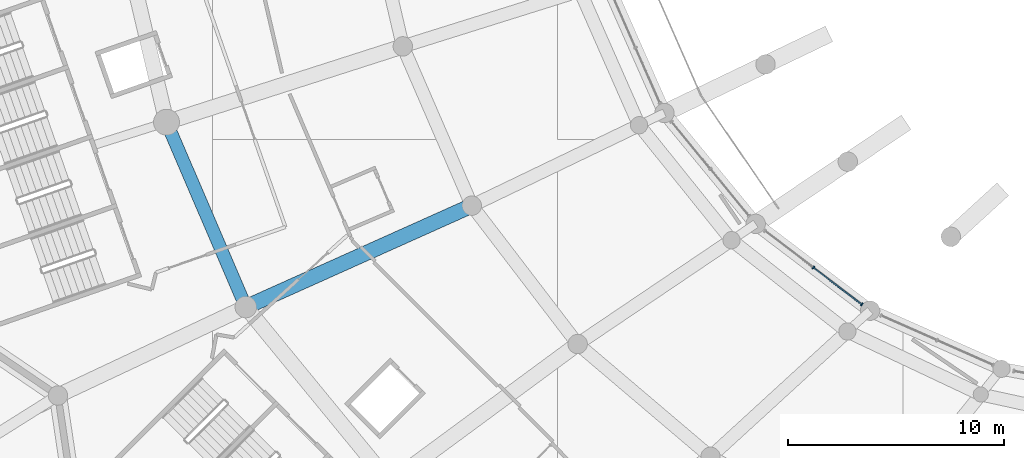
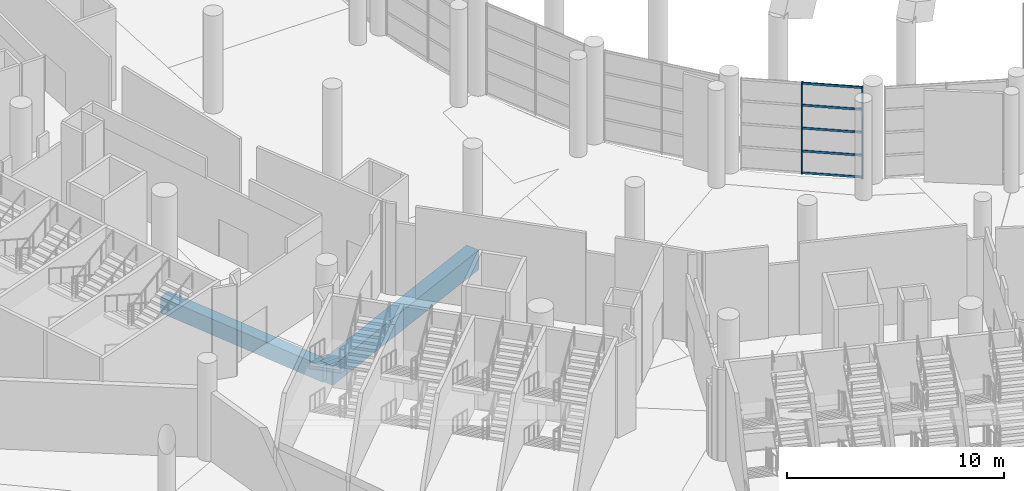
# One storey, part 15 of 271: 7 members, 2 beams, 1 element without a shape of its own.
"""IFC4 building model written with IfcOpenShell, lengths in metres."""

from ifc_helpers import new_model, si_unit, direction, frame, origin, origin_2d, place, context, subcontext, project, spatial, rectangle, extrude, material, layer, layer_set, material_profile, profile_set, type_object, element, aggregate, save


model = new_model("IFC4")

# Units and contexts
model_context = context("Model", 3, precision=1e-05, world=origin(), true_north=direction((0.0, 1.0)))
body_context = subcontext(model_context, "Body", "Model", "MODEL_VIEW")
ifc_project = project(units=[si_unit("LENGTHUNIT", "METRE"), si_unit("AREAUNIT", "SQUARE_METRE"), si_unit("VOLUMEUNIT", "CUBIC_METRE"), si_unit("PLANEANGLEUNIT", "RADIAN"), si_unit("MASSUNIT", "GRAM", prefix="KILO")], contexts=[model_context])

# Site, building, storey
site_placement = place(None, origin())
site = spatial("IfcSite", under=ifc_project, at=site_placement, CompositionType="ELEMENT")
building_placement = place(site_placement, origin())
building = spatial("IfcBuilding", under=site, at=building_placement, Name="Meseta Stadium", CompositionType="ELEMENT")
storey_placement = place(building_placement, frame((0.0, 0.0, 6.5)))
storey = spatial("IfcBuildingStorey", under=building, at=storey_placement, Name="L01", CompositionType="ELEMENT", Elevation=6.5)

# Curtain wall, members
ifc_material_1 = material(Name="Aluminium", Category="aluminium")
ifc_layer = layer(ifc_material_1, 0.199951171875)
ifc_layer_set = layer_set([ifc_layer], Name="Club glazing curtain wall")
curtain_wall_type = type_object("IfcCurtainWallType", Name="Club glazing curtain wall", PredefinedType="NOTDEFINED", material=ifc_layer_set)
curtain_wall_placement = place(storey_placement, origin())
curtain_wall = element("IfcCurtainWall", 1, at=curtain_wall_placement, inside=storey, type_object=curtain_wall_type, Name="Club glazing bay 40", PredefinedType="NOTDEFINED")
ifc_material_2 = material(Name="Aluminium", Category="aluminium")
ifc_material_profile_1 = material_profile(ifc_material_2, rectangle(XDim=0.159912109375, YDim=0.06005859375, at=origin_2d()), Name="CW 160x60")
ifc_profile_set_1 = profile_set([ifc_material_profile_1], Name="Aluminium")
member_type_1 = type_object("IfcMemberType", Name="CW mullion 60x160", PredefinedType="MULLION", material=ifc_profile_set_1)
member_1_placement = place(storey_placement, frame((-52.146484375, -69.93017578125, 0.0), z_axis=(0.0, 0.0, 1.0), x_axis=(0.604519923448, 0.796590021375, 0.0)))
member_1 = element("IfcMember", 2, at=member_1_placement, type_object=member_type_1, Name="CWC mullion 2", PredefinedType="MULLION", context=body_context, shape_type="SweptSolid", body=[
    extrude(rectangle(XDim=0.159912109375, YDim=0.06005859375, at=origin_2d()), origin(), (0.0, 0.0, 1.0), 5.14990234375),
])
member_2_placement = place(storey_placement, frame((-49.900390625, -71.634765625, 0.0), z_axis=(0.0, 0.0, 1.0), x_axis=(0.604519923448, 0.796590021375, 0.0)))
member_2 = element("IfcMember", 3, at=member_2_placement, type_object=member_type_1, Name="CWC mullion 3", PredefinedType="MULLION", context=body_context, shape_type="SweptSolid", body=[
    extrude(rectangle(XDim=0.159912109375, YDim=0.06005859375, at=origin_2d()), origin(), (0.0, 0.0, 1.0), 5.14990234375),
])
ifc_material_3 = material(Name="Aluminium", Category="aluminium")
ifc_material_profile_2 = material_profile(ifc_material_3, rectangle(XDim=0.06005859375, YDim=0.1201171875, at=origin_2d()), Name="CW 60x120")
ifc_profile_set_2 = profile_set([ifc_material_profile_2], Name="Aluminium")
member_type_2 = type_object("IfcMemberType", Name="CW transom 60x120", PredefinedType="USERDEFINED", material=ifc_profile_set_2)
member_3_placement = place(storey_placement, frame((-52.12255859375, -69.9482421875, 0.06005859375), z_axis=(0.796547299203, -0.604576215321, 0.0), x_axis=(0.604576215321, 0.796547299203, 0.0)))
member_3 = element("IfcMember", 4, at=member_3_placement, type_object=member_type_2, Name="CWC transom 2.1", ObjectType="TRANSOM", PredefinedType="USERDEFINED", context=body_context, shape_type="SweptSolid", body=[
    extrude(rectangle(XDim=0.06005859375, YDim=0.1201171875, at=origin_2d()), origin(), (0.0, 0.0, 1.0), 2.759765625),
])
member_4_placement = place(storey_placement, frame((-52.12255859375, -69.9482421875, 1.28759765625), z_axis=(0.796547299203, -0.604576215321, 0.0), x_axis=(0.604576215321, 0.796547299203, 0.0)))
member_4 = element("IfcMember", 5, at=member_4_placement, type_object=member_type_2, Name="CWC transom 2.2", ObjectType="TRANSOM", PredefinedType="USERDEFINED", context=body_context, shape_type="SweptSolid", body=[
    extrude(rectangle(XDim=0.06005859375, YDim=0.1201171875, at=origin_2d()), origin(), (0.0, 0.0, 1.0), 2.759765625),
])
member_5_placement = place(storey_placement, frame((-52.12255859375, -69.9482421875, 2.574951171875), z_axis=(0.796547299203, -0.604576215321, 0.0), x_axis=(0.604576215321, 0.796547299203, 0.0)))
member_5 = element("IfcMember", 6, at=member_5_placement, type_object=member_type_2, Name="CWC transom 2.3", ObjectType="TRANSOM", PredefinedType="USERDEFINED", context=body_context, shape_type="SweptSolid", body=[
    extrude(rectangle(XDim=0.06005859375, YDim=0.1201171875, at=origin_2d()), origin(), (0.0, 0.0, 1.0), 2.759765625),
])
member_6_placement = place(storey_placement, frame((-52.12255859375, -69.9482421875, 3.862548828125), z_axis=(0.796547299203, -0.604576215321, 0.0), x_axis=(0.604576215321, 0.796547299203, 0.0)))
member_6 = element("IfcMember", 7, at=member_6_placement, type_object=member_type_2, Name="CWC transom 2.4", ObjectType="TRANSOM", PredefinedType="USERDEFINED", context=body_context, shape_type="SweptSolid", body=[
    extrude(rectangle(XDim=0.06005859375, YDim=0.1201171875, at=origin_2d()), origin(), (0.0, 0.0, 1.0), 2.759765625),
])
member_7_placement = place(storey_placement, frame((-52.12255859375, -69.9482421875, 5.090087890625), z_axis=(0.796547299203, -0.604576215321, 0.0), x_axis=(0.604576215321, 0.796547299203, 0.0)))
member_7 = element("IfcMember", 8, at=member_7_placement, type_object=member_type_2, Name="CWC transom 2.5", ObjectType="TRANSOM", PredefinedType="USERDEFINED", context=body_context, shape_type="SweptSolid", body=[
    extrude(rectangle(XDim=0.06005859375, YDim=0.1201171875, at=origin_2d()), origin(), (0.0, 0.0, 1.0), 2.759765625),
])
aggregate(curtain_wall, [member_1, member_2, member_3, member_4, member_5, member_6, member_7])

# Beams
ifc_material_4 = material(Name="Concrete C40/50", Category="concrete")
ifc_material_profile_3 = material_profile(ifc_material_4, rectangle(XDim=0.60009765625, YDim=0.89990234375, at=origin_2d()), Name="RC 600x900")
ifc_profile_set_3 = profile_set([ifc_material_profile_3], Name="Concrete C40/50")
beam_type_1 = type_object("IfcBeamType", Name="RC beam 600x900", PredefinedType="BEAM", material=ifc_profile_set_3)
beam_1_placement = place(storey_placement, frame((-82.119873046875, -63.191162109375, -0.800048828125), z_axis=(0.394270200779, -0.918994564063, 0.0), x_axis=(0.918994564063, 0.394270200779, 0.0)))
element("IfcBeam", 9, at=beam_1_placement, inside=storey, type_object=beam_type_1, Name="L01 ring beam frame 38 line P", PredefinedType="BEAM", context=body_context, shape_type="SweptSolid", body=[
    extrude(rectangle(XDim=0.60009765625, YDim=0.89990234375, at=origin_2d()), origin(), (0.0, 0.0, 1.0), 9.31982421875),
])
ifc_material_5 = material(Name="Concrete C40/50", Category="concrete")
ifc_material_profile_4 = material_profile(ifc_material_5, rectangle(XDim=0.699951171875, YDim=1.10009765625, at=origin_2d()), Name="RC 700x1100")
ifc_profile_set_4 = profile_set([ifc_material_profile_4], Name="Concrete C40/50")
beam_type_2 = type_object("IfcBeamType", Name="RC beam 700x1100", PredefinedType="BEAM", material=ifc_profile_set_4)
beam_2_placement = place(storey_placement, frame((-67.972412109375, -67.057861328125, -0.89990234375), z_axis=(-0.912395676752, -0.409309331734, 0.0), x_axis=(0.409309331734, -0.912395676752, 0.0)))
element("IfcBeam", 10, at=beam_2_placement, inside=storey, type_object=beam_type_2, Name="L01 radial beam frame 39 line E to P", PredefinedType="BEAM", context=body_context, shape_type="SweptSolid", body=[
    extrude(rectangle(XDim=0.699951171875, YDim=1.10009765625, at=origin_2d()), origin(), (0.0, 0.0, 1.0), 11.478515625),
])

save(model, "model.ifc")
